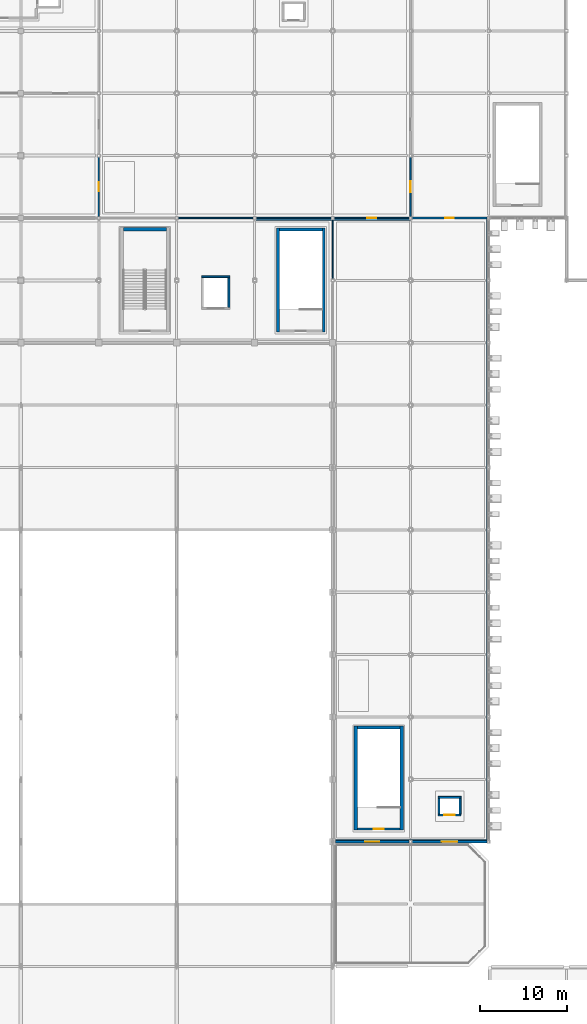
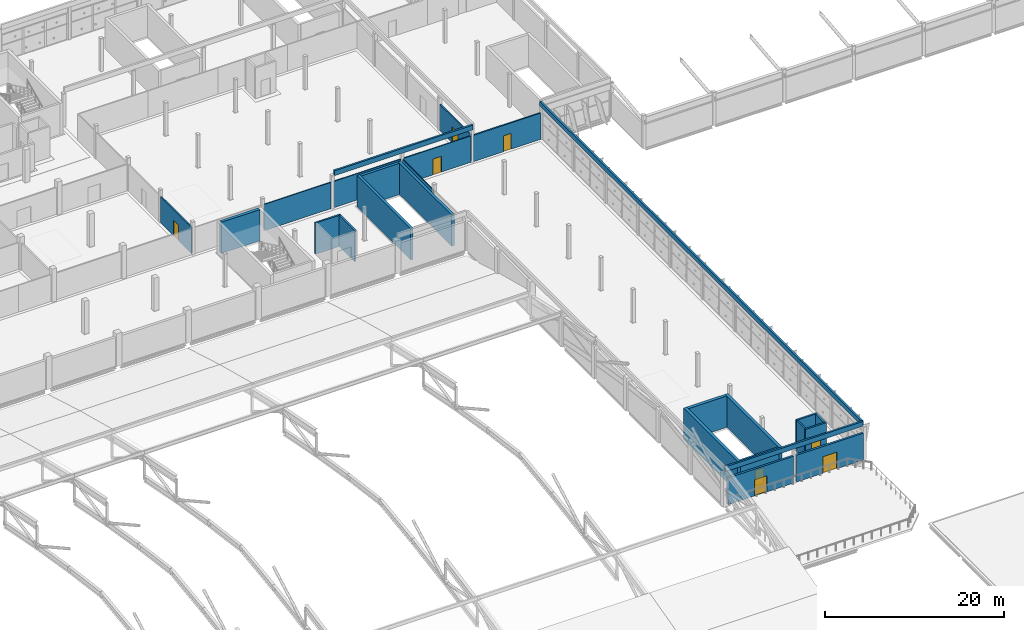
# One storey, part 102 of 124: 26 walls, 8 doors, 8 openings.
"""IFC4 building model written with IfcOpenShell, lengths in metres."""

from ifc_helpers import new_model, si_unit, direction, frame, frame_2d, origin, place, context, subcontext, project, spatial, rectangle, extrude, material, layer, layer_set, type_object, element, fill, save


model = new_model("IFC4")

# Units and contexts
model_context = context("Model", 3, precision=1e-05, world=origin(), true_north=direction((0.0, 1.0)))
body_context = subcontext(model_context, "Body", "Model", "MODEL_VIEW")
ifc_project = project(units=[si_unit("LENGTHUNIT", "METRE"), si_unit("AREAUNIT", "SQUARE_METRE"), si_unit("VOLUMEUNIT", "CUBIC_METRE"), si_unit("PLANEANGLEUNIT", "RADIAN"), si_unit("MASSUNIT", "GRAM", prefix="KILO")], contexts=[model_context])

# Site, building, storey
site_placement = place(None, origin())
site = spatial("IfcSite", under=ifc_project, at=site_placement, CompositionType="ELEMENT")
building_placement = place(site_placement, origin())
building = spatial("IfcBuilding", under=site, at=building_placement, Name="Celestram Park Convention Centre", CompositionType="ELEMENT")
storey_placement = place(building_placement, frame((0.0, 0.0, 15.300048828125)))
storey = spatial("IfcBuildingStorey", under=building, at=storey_placement, Name="L03", CompositionType="ELEMENT", Elevation=15.300048828125)

# Wall, opening, door
ifc_material_1 = material(Name="Concrete Block Masonry C25/30", Category="masonry")
ifc_layer_1 = layer(ifc_material_1, 0.25)
ifc_layer_set_1 = layer_set([ifc_layer_1], Name="Concrete Block Masonry C25/30")
wall_type_1 = type_object("IfcWallType", Name="ARC-WL-COR250", PredefinedType="STANDARD", material=ifc_layer_set_1)
wall_1_placement = place(storey_placement, frame((128.840087890625, 51.875, 0.0), z_axis=(0.0, 0.0, 1.0), x_axis=(1.0, 0.0, 0.0)))
wall_1 = element("IfcWall", 1, at=wall_1_placement, inside=storey, type_object=wall_type_1, Name="Core C4 stair entrance wall", PredefinedType="STANDARD", context=body_context, shape_type="SweptSolid", body=[
    extrude(rectangle(XDim=4.9599609375, YDim=0.25, at=frame_2d((2.47998046875, 0.0))), origin(), (0.0, 0.0, 1.0), 4.25),
])
opening_1_placement = place(wall_1_placement, frame((1.905029296875, 0.0, 0.0)))
opening_1 = element("IfcOpeningElement", 2, at=opening_1_placement, cuts=wall_1, Name="Opening D-ST1", PredefinedType="OPENING", context=body_context, shape_type="SweptSolid", body=[
    extrude(rectangle(XDim=1.14990234375, YDim=2.199951171875, at=frame_2d((0.574951171875, 1.10009765625))), frame((0.0, 0.135009765625, 0.0), z_axis=(0.0, -1.0, 0.0), x_axis=(1.0, 0.0, 0.0)), (0.0, 0.0, 1.0), 0.27001953125),
])
ifc_material_2 = material(Name="Fire-Rated Hollow Metal Steel ASTM A653", Category="steel")
door_type_1 = type_object("IfcDoorType", Name="ARC-DR-ST115", OperationType="NOTDEFINED", PredefinedType="DOOR", material=ifc_material_2)
door_1_placement = place(opening_1_placement, origin())
door_1 = element("IfcDoor", 3, at=door_1_placement, inside=storey, type_object=door_type_1, Name="Exit stair ST-04 fire door", OperationType="SINGLE_SWING_LEFT", OverallHeight=2.199951171875, OverallWidth=1.14990234375, PredefinedType="DOOR", context=body_context, shape_type="SweptSolid", body=[
    extrude(rectangle(XDim=1.14990234375, YDim=2.199951171875, at=frame_2d((0.574951171875, 1.10009765625))), frame((0.0, 0.02490234375, 0.0), z_axis=(0.0, -1.0, 0.0), x_axis=(1.0, 0.0, 0.0)), (0.0, 0.0, 1.0), 0.050048828125),
])
fill(opening_1, door_1)

ifc_material_3 = material(Name="Precast Concrete C40/50", Category="concrete")
ifc_layer_2 = layer(ifc_material_3, 0.260009765625)
ifc_layer_set_2 = layer_set([ifc_layer_2], Name="Precast Concrete C40/50")
wall_type_2 = type_object("IfcWallType", Name="ARC-WL-EXT260", PredefinedType="STANDARD", material=ifc_layer_set_2)
wall_2_placement = place(storey_placement, frame((143.826904296875, 50.39990234375, 0.0), z_axis=(0.0, 0.0, 1.0), x_axis=(-1.0, 0.0, 0.0)))
wall_2 = element("IfcWall", 4, at=wall_2_placement, inside=storey, type_object=wall_type_2, Name="Bush-hammered precast exterior wall WL-L03-EW169", PredefinedType="STANDARD", context=body_context, shape_type="SweptSolid", body=[
    extrude(rectangle(XDim=8.65380859375, YDim=0.260009765625, at=frame_2d((4.326904296875, 0.0))), origin(), (0.0, 0.0, 1.0), 3.64794921875),
])
opening_2_placement = place(wall_2_placement, frame((3.427001953125, 0.0, 0.0)))
opening_2 = element("IfcOpeningElement", 5, at=opening_2_placement, cuts=wall_2, Name="Opening D-TR1", PredefinedType="OPENING", context=body_context, shape_type="SweptSolid", body=[
    extrude(rectangle(XDim=1.800048828125, YDim=2.25, at=frame_2d((0.89990234375, 1.125))), frame((0.0, 0.139892578125, 0.0), z_axis=(0.0, -1.0, 0.0), x_axis=(1.0, 0.0, 0.0)), (0.0, 0.0, 1.0), 0.280029296875),
])
ifc_material_4 = material(Name="Anodised Aluminium & Tempered Glass", Category="aluminium")
door_type_2 = type_object("IfcDoorType", Name="ARC-DR-TR1800", OperationType="NOTDEFINED", PredefinedType="DOOR", material=ifc_material_4)
door_2_placement = place(opening_2_placement, origin())
door_2 = element("IfcDoor", 6, at=door_2_placement, inside=storey, type_object=door_type_2, Name="Planted roof terrace door DR-L03-TR01", OperationType="DOUBLE_DOOR_SINGLE_SWING", OverallHeight=2.25, OverallWidth=1.800048828125, PredefinedType="DOOR", context=body_context, shape_type="SweptSolid", body=[
    extrude(rectangle(XDim=1.800048828125, YDim=2.25, at=frame_2d((0.89990234375, 1.125))), frame((0.0, 0.02490234375, 0.0), z_axis=(0.0, -1.0, 0.0), x_axis=(1.0, 0.0, 0.0)), (0.0, 0.0, 1.0), 0.050048828125),
])
fill(opening_2, door_2)

wall_3_placement = place(storey_placement, frame((134.826904296875, 50.39990234375, 0.0), z_axis=(0.0, 0.0, 1.0), x_axis=(-1.0, 0.0, 0.0)))
wall_3 = element("IfcWall", 7, at=wall_3_placement, inside=storey, type_object=wall_type_2, Name="Bush-hammered precast exterior wall WL-L03-EW170", PredefinedType="STANDARD", context=body_context, shape_type="SweptSolid", body=[
    extrude(rectangle(XDim=8.47900390625, YDim=0.260009765625, at=frame_2d((4.239501953125, 0.0))), origin(), (0.0, 0.0, 1.0), 3.64794921875),
])
opening_3_placement = place(wall_3_placement, frame((3.439453125, 0.0, 0.0)))
opening_3 = element("IfcOpeningElement", 8, at=opening_3_placement, cuts=wall_3, Name="Opening D-TR2", PredefinedType="OPENING", context=body_context, shape_type="SweptSolid", body=[
    extrude(rectangle(XDim=1.60009765625, YDim=2.199951171875, at=frame_2d((0.800048828125, 1.10009765625))), frame((0.0, 0.139892578125, 0.0), z_axis=(0.0, -1.0, 0.0), x_axis=(1.0, 0.0, 0.0)), (0.0, 0.0, 1.0), 0.280029296875),
])
door_type_3 = type_object("IfcDoorType", Name="ARC-DR-TR1600", OperationType="NOTDEFINED", PredefinedType="DOOR", material=ifc_material_4)
door_3_placement = place(opening_3_placement, origin())
door_3 = element("IfcDoor", 9, at=door_3_placement, inside=storey, type_object=door_type_3, Name="Planted roof terrace door DR-L03-TR02", OperationType="DOUBLE_DOOR_SINGLE_SWING", OverallHeight=2.199951171875, OverallWidth=1.60009765625, PredefinedType="DOOR", context=body_context, shape_type="SweptSolid", body=[
    extrude(rectangle(XDim=1.60009765625, YDim=2.199951171875, at=frame_2d((0.800048828125, 1.10009765625))), frame((0.0, 0.02490234375, 0.0), z_axis=(0.0, -1.0, 0.0), x_axis=(1.0, 0.0, 0.0)), (0.0, 0.0, 1.0), 0.050048828125),
])
fill(opening_3, door_3)

# Walls
ifc_layer_3 = layer(ifc_material_3, 0.239990234375)
ifc_layer_set_3 = layer_set([ifc_layer_3], Name="Precast Concrete C40/50")
wall_type_3 = type_object("IfcWallType", Name="ARC-WL-PAR240", PredefinedType="PARAPET", material=ifc_layer_set_3)
wall_4_placement = place(storey_placement, frame((117.139892578125, 122.260009765625, 4.5), z_axis=(0.0, 0.0, 1.0), x_axis=(1.0, 0.0, 0.0)))
element("IfcWall", 10, at=wall_4_placement, inside=storey, type_object=wall_type_3, Name="Flat roof parapet WL-L03-PR02", PredefinedType="PARAPET", context=body_context, shape_type="SweptSolid", body=[
    extrude(rectangle(XDim=17.860107421875, YDim=0.239990234375, at=frame_2d((8.93017578125, 0.0))), origin(), (0.0, 0.0, 1.0), 0.64990234375),
])
wall_5_placement = place(storey_placement, frame((143.860107421875, 122.39990234375, 4.5), z_axis=(0.0, 0.0, 1.0), x_axis=(0.0, -1.0, 0.0)))
element("IfcWall", 11, at=wall_5_placement, inside=storey, type_object=wall_type_3, Name="Flat roof parapet WL-L03-PR08", PredefinedType="PARAPET", context=body_context, shape_type="SweptSolid", body=[
    extrude(rectangle(XDim=71.85986328125, YDim=0.239990234375, at=frame_2d((35.929931640625, 0.0))), origin(), (0.0, 0.0, 1.0), 0.64990234375),
])
wall_6_placement = place(storey_placement, frame((143.860107421875, 50.5400390625, 4.5), z_axis=(0.0, 0.0, 1.0), x_axis=(-1.0, 0.0, 0.0)))
element("IfcWall", 12, at=wall_6_placement, inside=storey, type_object=wall_type_3, Name="Flat roof parapet WL-L03-PR09", PredefinedType="PARAPET", context=body_context, shape_type="SweptSolid", body=[
    extrude(rectangle(XDim=17.72021484375, YDim=0.239990234375, at=frame_2d((8.860107421875, 0.0))), origin(), (0.0, 0.0, 1.0), 0.64990234375),
])
ifc_material_5 = material(Name="Standard Gypsum & Steel Stud 120 mm", Category="steel")
ifc_layer_4 = layer(ifc_material_5, 0.1201171875)
ifc_layer_set_4 = layer_set([ifc_layer_4], Name="Standard Gypsum & Steel Stud 120 mm")
wall_type_4 = type_object("IfcWallType", Name="ARC-WL-PRT120", PredefinedType="PARTITIONING", material=ifc_layer_set_4)
for number, where, z_axis, x_axis, name in (
    (13, (108.173095703125, 122.39990234375, 0.0), (0.0, 0.0, 1.0), (1.0, 0.0, 0.0), "Interior partition WL-L03-IN0888"),
    (14, (117.173095703125, 122.39990234375, 0.0), (0.0, 0.0, 1.0), (1.0, 0.0, 0.0), "Interior partition WL-L03-IN0889"),
):
    element("IfcWall", number, at=place(storey_placement, frame(where, z_axis=z_axis, x_axis=x_axis)), inside=storey, type_object=wall_type_4, Name=name, PredefinedType="PARTITIONING", context=body_context, shape_type="SweptSolid", body=[
        extrude(rectangle(XDim=8.65380859375, YDim=0.1201171875, at=frame_2d((4.326904296875, 0.0))), origin(), (0.0, 0.0, 1.0), 3.587890625),
    ])

# Wall, opening, door
wall_7_placement = place(storey_placement, frame((126.173095703125, 122.39990234375, 0.0), z_axis=(0.0, 0.0, 1.0), x_axis=(1.0, 0.0, 0.0)))
wall_7 = element("IfcWall", 15, at=wall_7_placement, inside=storey, type_object=wall_type_4, Name="Interior partition WL-L03-IN0890", PredefinedType="PARTITIONING", context=body_context, shape_type="SweptSolid", body=[
    extrude(rectangle(XDim=8.65380859375, YDim=0.1201171875, at=frame_2d((4.326904296875, 0.0))), origin(), (0.0, 0.0, 1.0), 3.587890625),
])
opening_4_placement = place(wall_7_placement, frame((3.802001953125, 0.0, 0.0)))
opening_4 = element("IfcOpeningElement", 16, at=opening_4_placement, cuts=wall_7, Name="Opening D-06", PredefinedType="OPENING", context=body_context, shape_type="SweptSolid", body=[
    extrude(rectangle(XDim=1.050048828125, YDim=2.14990234375, at=frame_2d((0.52490234375, 1.074951171875))), frame((0.0, 0.070068359375, 0.0), z_axis=(0.0, -1.0, 0.0), x_axis=(1.0, 0.0, 0.0)), (0.0, 0.0, 1.0), 0.14013671875),
])
ifc_material_6 = material(Name="Solid Core White Oak Single Door", Category="wood")
door_type_4 = type_object("IfcDoorType", Name="ARC-DR-RM105", OperationType="NOTDEFINED", PredefinedType="DOOR", material=ifc_material_6)
door_4_placement = place(opening_4_placement, origin())
door_4 = element("IfcDoor", 17, at=door_4_placement, inside=storey, type_object=door_type_4, Name="Garden Terrace VIP Briefing Room entrance door", OperationType="SINGLE_SWING_LEFT", OverallHeight=2.14990234375, OverallWidth=1.050048828125, PredefinedType="DOOR", context=body_context, shape_type="SweptSolid", body=[
    extrude(rectangle(XDim=1.050048828125, YDim=2.14990234375, at=frame_2d((0.52490234375, 1.074951171875))), frame((0.0, 0.02490234375, 0.0), z_axis=(0.0, -1.0, 0.0), x_axis=(1.0, 0.0, 0.0)), (0.0, 0.0, 1.0), 0.050048828125),
])
fill(opening_4, door_4)

# Wall
wall_8_placement = place(storey_placement, frame((126.0, 115.373046875, 0.0), z_axis=(0.0, 0.0, 1.0), x_axis=(0.0, 1.0, 0.0)))
element("IfcWall", 18, at=wall_8_placement, inside=storey, type_object=wall_type_4, Name="Interior partition WL-L03-IN0935", PredefinedType="PARTITIONING", context=body_context, shape_type="SweptSolid", body=[
    extrude(rectangle(XDim=6.85400390625, YDim=0.1201171875, at=frame_2d((3.427001953125, 0.0))), origin(), (0.0, 0.0, 1.0), 3.587890625),
])

# Wall, opening, door
ifc_material_7 = material(Name="Acoustic Gypsum & Steel Stud 160 mm", Category="steel")
ifc_layer_5 = layer(ifc_material_7, 0.159912109375)
ifc_layer_set_5 = layer_set([ifc_layer_5], Name="Acoustic Gypsum & Steel Stud 160 mm")
wall_type_5 = type_object("IfcWallType", Name="ARC-WL-PRT160", PredefinedType="PARTITIONING", material=ifc_layer_set_5)
wall_9_placement = place(storey_placement, frame((99.0, 122.572998046875, 0.0), z_axis=(0.0, 0.0, 1.0), x_axis=(0.0, 1.0, 0.0)))
wall_9 = element("IfcWall", 19, at=wall_9_placement, inside=storey, type_object=wall_type_5, Name="Interior partition WL-L03-IN0930", PredefinedType="PARTITIONING", context=body_context, shape_type="SweptSolid", body=[
    extrude(rectangle(XDim=6.85400390625, YDim=0.159912109375, at=frame_2d((3.427001953125, 0.0))), origin(), (0.0, 0.0, 1.0), 3.587890625),
])
opening_5_placement = place(wall_9_placement, frame((2.902099609375, 0.0, 0.0)))
opening_5 = element("IfcOpeningElement", 20, at=opening_5_placement, cuts=wall_9, Name="Opening D-06", PredefinedType="OPENING", context=body_context, shape_type="SweptSolid", body=[
    extrude(rectangle(XDim=1.050048828125, YDim=2.14990234375, at=frame_2d((0.52490234375, 1.074951171875))), frame((0.0, 0.08984375, 0.0), z_axis=(0.0, -1.0, 0.0), x_axis=(1.0, 0.0, 0.0)), (0.0, 0.0, 1.0), 0.179931640625),
])
door_5_placement = place(opening_5_placement, origin())
door_5 = element("IfcDoor", 21, at=door_5_placement, inside=storey, type_object=door_type_4, Name="Park Terrace Dining Salon entrance door", OperationType="SINGLE_SWING_LEFT", OverallHeight=2.14990234375, OverallWidth=1.050048828125, PredefinedType="DOOR", context=body_context, shape_type="SweptSolid", body=[
    extrude(rectangle(XDim=1.050048828125, YDim=2.14990234375, at=frame_2d((0.52490234375, 1.074951171875))), frame((0.0, 0.02490234375, 0.0), z_axis=(0.0, -1.0, 0.0), x_axis=(1.0, 0.0, 0.0)), (0.0, 0.0, 1.0), 0.050048828125),
])
fill(opening_5, door_5)

ifc_material_8 = material(Name="Fire-Rated Gypsum & Steel Stud 180 mm", Category="steel")
ifc_layer_6 = layer(ifc_material_8, 0.179931640625)
ifc_layer_set_6 = layer_set([ifc_layer_6], Name="Fire-Rated Gypsum & Steel Stud 180 mm")
wall_type_6 = type_object("IfcWallType", Name="ARC-WL-PRT180", PredefinedType="PARTITIONING", material=ifc_layer_set_6)
wall_10_placement = place(storey_placement, frame((135.173095703125, 122.39990234375, 0.0), z_axis=(0.0, 0.0, 1.0), x_axis=(1.0, 0.0, 0.0)))
wall_10 = element("IfcWall", 22, at=wall_10_placement, inside=storey, type_object=wall_type_6, Name="Interior partition WL-L03-IN0891", PredefinedType="PARTITIONING", context=body_context, shape_type="SweptSolid", body=[
    extrude(rectangle(XDim=8.65380859375, YDim=0.179931640625, at=frame_2d((4.326904296875, 0.0))), origin(), (0.0, 0.0, 1.0), 3.587890625),
])
opening_6_placement = place(wall_10_placement, frame((3.826904296875, 0.0, 0.0)))
opening_6 = element("IfcOpeningElement", 23, at=opening_6_placement, cuts=wall_10, Name="Opening D-07", PredefinedType="OPENING", context=body_context, shape_type="SweptSolid", body=[
    extrude(rectangle(XDim=1.0, YDim=2.14990234375, at=frame_2d((0.5, 1.074951171875))), frame((0.0, 0.099853515625, 0.0), z_axis=(0.0, -1.0, 0.0), x_axis=(1.0, 0.0, 0.0)), (0.0, 0.0, 1.0), 0.199951171875),
])
door_type_5 = type_object("IfcDoorType", Name="ARC-DR-RM100", OperationType="NOTDEFINED", PredefinedType="DOOR", material=ifc_material_6)
door_6_placement = place(opening_6_placement, origin())
door_6 = element("IfcDoor", 24, at=door_6_placement, inside=storey, type_object=door_type_5, Name="Garden Terrace VIP Briefing Room entrance door", OperationType="SINGLE_SWING_RIGHT", OverallHeight=2.14990234375, OverallWidth=1.0, PredefinedType="DOOR", context=body_context, shape_type="SweptSolid", body=[
    extrude(rectangle(XDim=1.0, YDim=2.14990234375, at=frame_2d((0.5, 1.074951171875))), frame((0.0, 0.02490234375, 0.0), z_axis=(0.0, -1.0, 0.0), x_axis=(1.0, 0.0, 0.0)), (0.0, 0.0, 1.0), 0.050048828125),
])
fill(opening_6, door_6)

wall_11_placement = place(storey_placement, frame((135.0, 122.572998046875, 0.0), z_axis=(0.0, 0.0, 1.0), x_axis=(0.0, 1.0, 0.0)))
wall_11 = element("IfcWall", 25, at=wall_11_placement, inside=storey, type_object=wall_type_6, Name="Interior partition WL-L03-IN0936", PredefinedType="PARTITIONING", context=body_context, shape_type="SweptSolid", body=[
    extrude(rectangle(XDim=6.85400390625, YDim=0.179931640625, at=frame_2d((3.427001953125, 0.0))), origin(), (0.0, 0.0, 1.0), 3.587890625),
])
opening_7_placement = place(wall_11_placement, frame((2.777099609375, 0.0, 0.0)))
opening_7 = element("IfcOpeningElement", 26, at=opening_7_placement, cuts=wall_11, Name="Opening D-10", PredefinedType="OPENING", context=body_context, shape_type="SweptSolid", body=[
    extrude(rectangle(XDim=1.300048828125, YDim=2.199951171875, at=frame_2d((0.64990234375, 1.10009765625))), frame((0.0, 0.099853515625, 0.0), z_axis=(0.0, -1.0, 0.0), x_axis=(1.0, 0.0, 0.0)), (0.0, 0.0, 1.0), 0.199951171875),
])
ifc_material_9 = material(Name="Hollow Metal Catering Service Door", Category="steel")
door_type_6 = type_object("IfcDoorType", Name="ARC-DR-SRV130", OperationType="NOTDEFINED", PredefinedType="DOOR", material=ifc_material_9)
door_7_placement = place(opening_7_placement, origin())
door_7 = element("IfcDoor", 27, at=door_7_placement, inside=storey, type_object=door_type_6, Name="Terrace Restaurant Kitchen entrance door", OperationType="SINGLE_SWING_LEFT", OverallHeight=2.199951171875, OverallWidth=1.300048828125, PredefinedType="DOOR", context=body_context, shape_type="SweptSolid", body=[
    extrude(rectangle(XDim=1.300048828125, YDim=2.199951171875, at=frame_2d((0.64990234375, 1.10009765625))), frame((0.0, 0.02490234375, 0.0), z_axis=(0.0, -1.0, 0.0), x_axis=(1.0, 0.0, 0.0)), (0.0, 0.0, 1.0), 0.050048828125),
])
fill(opening_7, door_7)

# Walls
ifc_layer_7 = layer(ifc_material_1, 0.219970703125)
ifc_layer_set_7 = layer_set([ifc_layer_7], Name="Concrete Block Masonry C25/30")
wall_type_7 = type_object("IfcWallType", Name="ARC-WL-SHF220", PredefinedType="STANDARD", material=ifc_layer_set_7)
wall_12_placement = place(storey_placement, frame((114.1298828125, 115.6201171875, 0.0), z_axis=(0.0, 0.0, 1.0), x_axis=(-1.0, 0.0, 0.0)))
element("IfcWall", 28, at=wall_12_placement, inside=storey, type_object=wall_type_7, Name="Lift LG-01 shaft wall N", PredefinedType="STANDARD", context=body_context, shape_type="SweptSolid", body=[
    extrude(rectangle(XDim=3.259765625, YDim=0.219970703125, at=frame_2d((1.6298828125, 0.0))), origin(), (0.0, 0.0, 1.0), 4.25),
])
wall_13_placement = place(storey_placement, frame((114.02001953125, 112.090087890625, 0.0), z_axis=(0.0, 0.0, 1.0), x_axis=(0.0, 1.0, 0.0)))
element("IfcWall", 29, at=wall_13_placement, inside=storey, type_object=wall_type_7, Name="Lift LG-01 shaft wall E", PredefinedType="STANDARD", context=body_context, shape_type="SweptSolid", body=[
    extrude(rectangle(XDim=3.419921875, YDim=0.219970703125, at=frame_2d((1.7099609375, 0.0))), origin(), (0.0, 0.0, 1.0), 4.25),
])

# Wall, opening, door
wall_14_placement = place(storey_placement, frame((138.169921875, 53.47998046875, 0.0), z_axis=(0.0, 0.0, 1.0), x_axis=(1.0, 0.0, 0.0)))
wall_14 = element("IfcWall", 30, at=wall_14_placement, inside=storey, type_object=wall_type_7, Name="Lift LP-05 shaft wall S", PredefinedType="STANDARD", context=body_context, shape_type="SweptSolid", body=[
    extrude(rectangle(XDim=2.66015625, YDim=0.219970703125, at=frame_2d((1.330078125, 0.0))), origin(), (0.0, 0.0, 1.0), 4.25),
])
opening_8_placement = place(wall_14_placement, frame((0.72998046875, 0.0, 0.0)))
opening_8 = element("IfcOpeningElement", 31, at=opening_8_placement, cuts=wall_14, Name="Opening LD-01", PredefinedType="OPENING", context=body_context, shape_type="SweptSolid", body=[
    extrude(rectangle(XDim=1.199951171875, YDim=2.199951171875, at=frame_2d((0.60009765625, 1.10009765625))), frame((0.0, 0.119873046875, 0.0), z_axis=(0.0, -1.0, 0.0), x_axis=(1.0, 0.0, 0.0)), (0.0, 0.0, 1.0), 0.239990234375),
])
ifc_material_10 = material(Name="Brushed Stainless Steel AISI 304", Category="steel")
door_type_7 = type_object("IfcDoorType", Name="ARC-DR-LFT120", OperationType="NOTDEFINED", PredefinedType="DOOR", material=ifc_material_10)
door_8_placement = place(opening_8_placement, origin())
door_8 = element("IfcDoor", 32, at=door_8_placement, inside=storey, type_object=door_type_7, Name="Lift LP-05 sliding landing door", OperationType="DOUBLE_DOOR_SLIDING", OverallHeight=2.199951171875, OverallWidth=1.199951171875, PredefinedType="DOOR", context=body_context, shape_type="SweptSolid", body=[
    extrude(rectangle(XDim=1.199951171875, YDim=2.199951171875, at=frame_2d((0.60009765625, 1.10009765625))), frame((0.0, 0.02490234375, 0.0), z_axis=(0.0, -1.0, 0.0), x_axis=(1.0, 0.0, 0.0)), (0.0, 0.0, 1.0), 0.050048828125),
])
fill(opening_8, door_8)

# Walls
wall_15_placement = place(storey_placement, frame((140.830078125, 55.52001953125, 0.0), z_axis=(0.0, 0.0, 1.0), x_axis=(-1.0, 0.0, 0.0)))
element("IfcWall", 33, at=wall_15_placement, inside=storey, type_object=wall_type_7, Name="Lift LP-05 shaft wall N", PredefinedType="STANDARD", context=body_context, shape_type="SweptSolid", body=[
    extrude(rectangle(XDim=2.66015625, YDim=0.219970703125, at=frame_2d((1.330078125, 0.0))), origin(), (0.0, 0.0, 1.0), 4.25),
])
for number, where, z_axis, x_axis, name in (
    (34, (138.280029296875, 55.409912109375, 0.0), (0.0, 0.0, 1.0), (0.0, -1.0, 0.0), "Lift LP-05 shaft wall W"),
    (35, (140.719970703125, 53.590087890625, 0.0), (0.0, 0.0, 1.0), (0.0, 1.0, 0.0), "Lift LP-05 shaft wall E"),
):
    element("IfcWall", number, at=place(storey_placement, frame(where, z_axis=z_axis, x_axis=x_axis)), inside=storey, type_object=wall_type_7, Name=name, PredefinedType="STANDARD", context=body_context, shape_type="SweptSolid", body=[
        extrude(rectangle(XDim=1.81982421875, YDim=0.219970703125, at=frame_2d((0.909912109375, 0.0))), origin(), (0.0, 0.0, 1.0), 4.25),
    ])
ifc_material_11 = material(Name="Concrete C40/50", Category="concrete")
ifc_layer_8 = layer(ifc_material_11, 0.340087890625)
ifc_layer_set_8 = layer_set([ifc_layer_8], Name="Concrete C40/50")
wall_type_8 = type_object("IfcWallType", Name="STR-WL-SHR340", PredefinedType="SHEAR", material=ifc_layer_set_8)
for number, where, z_axis, x_axis, name in (
    (36, (119.669921875, 109.25, 0.0), (0.0, 0.0, 1.0), (0.0, 1.0, 0.0), "Core S20 shear wall L"),
    (37, (124.969970703125, 121.239990234375, 0.0), (0.0, 0.0, 1.0), (0.0, -1.0, 0.0), "Core S20 shear wall R"),
):
    element("IfcWall", number, at=place(storey_placement, frame(where, z_axis=z_axis, x_axis=x_axis)), inside=storey, type_object=wall_type_8, Name=name, PredefinedType="SHEAR", context=body_context, shape_type="SweptSolid", body=[
        extrude(rectangle(XDim=11.989990234375, YDim=0.340087890625, at=frame_2d((5.9951171875, 0.0))), origin(), (0.0, 0.0, 1.0), 4.260009765625),
    ])
wall_16_placement = place(storey_placement, frame((119.840087890625, 121.070068359375, 0.0), z_axis=(0.0, 0.0, 1.0), x_axis=(1.0, 0.0, 0.0)))
element("IfcWall", 38, at=wall_16_placement, inside=storey, type_object=wall_type_8, Name="Core S20 shear wall F", PredefinedType="SHEAR", context=body_context, shape_type="SweptSolid", body=[
    extrude(rectangle(XDim=4.9599609375, YDim=0.340087890625, at=frame_2d((2.47998046875, 0.0))), origin(), (0.0, 0.0, 1.0), 4.260009765625),
])
ifc_layer_9 = layer(ifc_material_11, 0.3798828125)
ifc_layer_set_9 = layer_set([ifc_layer_9], Name="Concrete C40/50")
wall_type_9 = type_object("IfcWallType", Name="STR-WL-SHR380", PredefinedType="SHEAR", material=ifc_layer_set_9)
wall_17_placement = place(storey_placement, frame((101.840087890625, 121.090087890625, 0.0), z_axis=(0.0, 0.0, 1.0), x_axis=(1.0, 0.0, 0.0)))
element("IfcWall", 39, at=wall_17_placement, inside=storey, type_object=wall_type_9, Name="Core C3 shear wall F", PredefinedType="SHEAR", context=body_context, shape_type="SweptSolid", body=[
    extrude(rectangle(XDim=4.9599609375, YDim=0.3798828125, at=frame_2d((2.47998046875, 0.0))), origin(), (0.0, 0.0, 1.0), 4.25),
])
for number, where, z_axis, x_axis, name in (
    (40, (128.64990234375, 51.75, 0.0), (0.0, 0.0, 1.0), (0.0, 1.0, 0.0), "Core C4 shear wall L"),
    (41, (133.989990234375, 63.780029296875, 0.0), (0.0, 0.0, 1.0), (0.0, -1.0, 0.0), "Core C4 shear wall R"),
):
    element("IfcWall", number, at=place(storey_placement, frame(where, z_axis=z_axis, x_axis=x_axis)), inside=storey, type_object=wall_type_9, Name=name, PredefinedType="SHEAR", context=body_context, shape_type="SweptSolid", body=[
        extrude(rectangle(XDim=12.030029296875, YDim=0.3798828125, at=frame_2d((6.01513671875, 0.0))), origin(), (0.0, 0.0, 1.0), 4.260009765625),
    ])
wall_18_placement = place(storey_placement, frame((128.840087890625, 63.590087890625, 0.0), z_axis=(0.0, 0.0, 1.0), x_axis=(1.0, 0.0, 0.0)))
element("IfcWall", 42, at=wall_18_placement, inside=storey, type_object=wall_type_9, Name="Core C4 shear wall F", PredefinedType="SHEAR", context=body_context, shape_type="SweptSolid", body=[
    extrude(rectangle(XDim=4.9599609375, YDim=0.3798828125, at=frame_2d((2.47998046875, 0.0))), origin(), (0.0, 0.0, 1.0), 4.260009765625),
])

save(model, "model.ifc")
